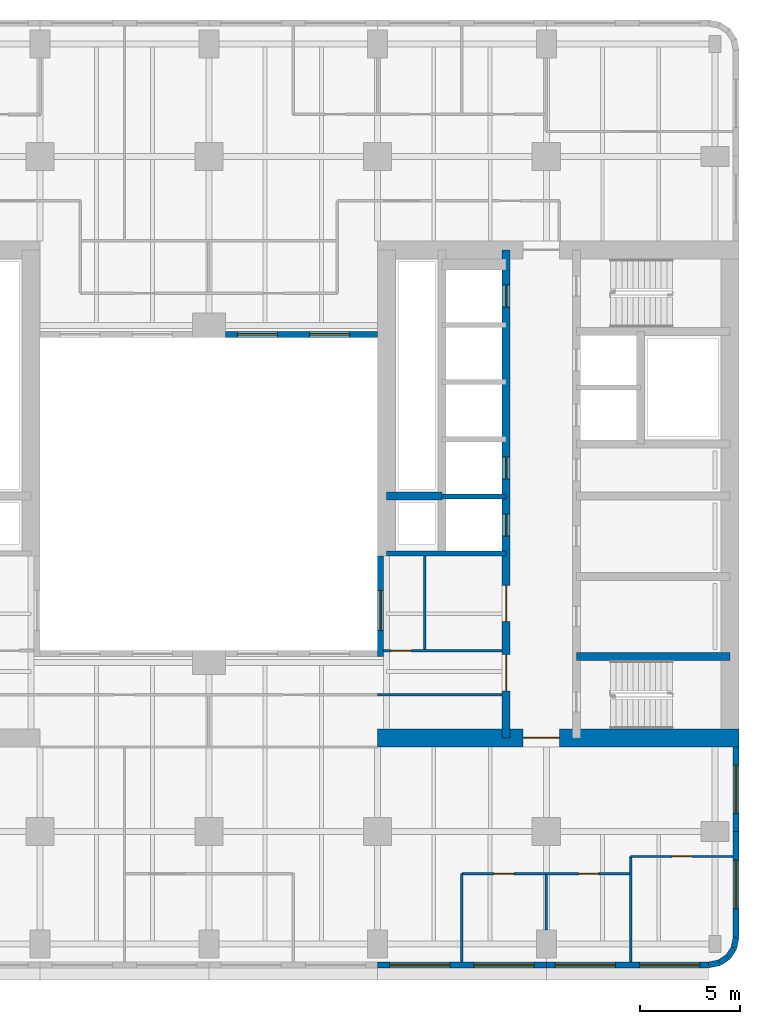
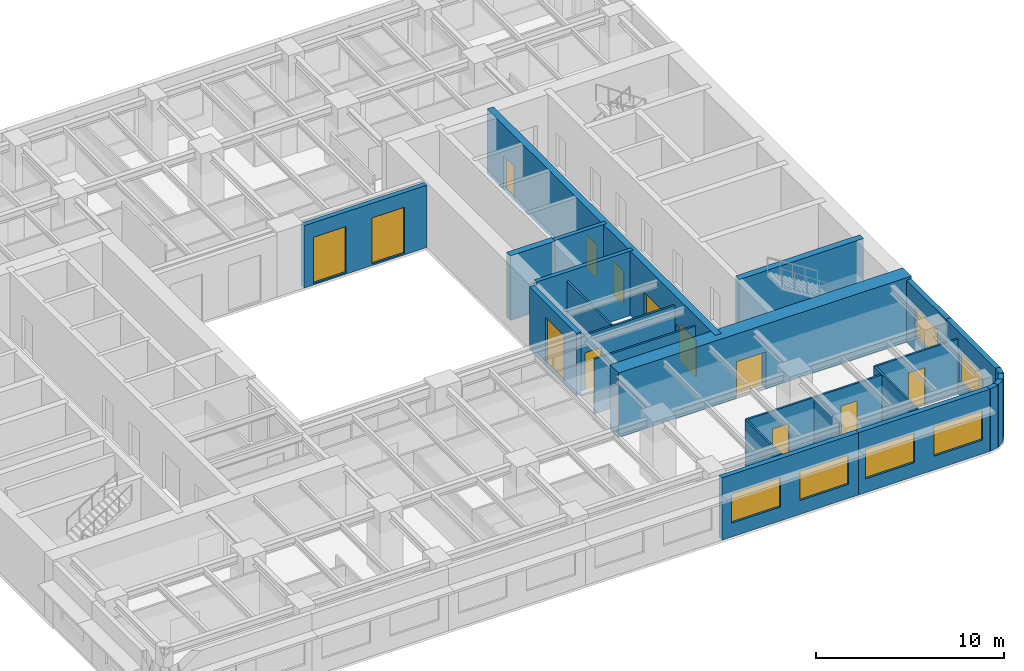
# One storey, part 5 of 11: 24 walls, 10 doors, 9 windows, 19 openings.
"""IFC4 building model written with IfcOpenShell, lengths in metres."""

from ifc_helpers import new_model, si_unit, direction, frame, frame_2d, origin, place, context, subcontext, project, spatial, rectangle, extrude, material, layer, layer_set, type_object, element, fill, save


model = new_model("IFC4")

# Units and contexts
model_context = context("Model", 3, precision=1e-05, world=origin(), true_north=direction((0.0, 1.0)))
body_context = subcontext(model_context, "Body", "Model", "MODEL_VIEW")
ifc_project = project(units=[si_unit("LENGTHUNIT", "METRE"), si_unit("AREAUNIT", "SQUARE_METRE"), si_unit("VOLUMEUNIT", "CUBIC_METRE"), si_unit("PLANEANGLEUNIT", "RADIAN"), si_unit("MASSUNIT", "GRAM", prefix="KILO")], contexts=[model_context])

# Site, building, storey
site_placement = place(None, origin())
site = spatial("IfcSite", under=ifc_project, at=site_placement, CompositionType="ELEMENT")
building_placement = place(site_placement, origin())
building = spatial("IfcBuilding", under=site, at=building_placement, Name="Claustro Exchange Tower", CompositionType="ELEMENT")
storey_placement = place(building_placement, frame((0.0, 0.0, 155.39990234375)))
storey = spatial("IfcBuildingStorey", under=building, at=storey_placement, Name="L35", CompositionType="ELEMENT", Elevation=155.39990234375)

# Wall, opening, door
ifc_material_1 = material(Name="Laminated glass in aluminium frame", Category="aluminium")
ifc_layer_1 = layer(ifc_material_1, 0.1201171875)
ifc_layer_set_1 = layer_set([ifc_layer_1], Name="Laminated glass in aluminium frame")
wall_type_1 = type_object("IfcWallType", Name="P2 120 glazed partition", PredefinedType="PARTITIONING", material=ifc_layer_set_1)
wall_1_placement = place(storey_placement, frame((33.89794921875, 17.39990234375, 0.0), z_axis=(0.0, 0.0, 1.0), x_axis=(1.0, 0.0, 0.0)))
wall_1 = element("IfcWall", 1, at=wall_1_placement, inside=storey, type_object=wall_type_1, Name="Partition P2 L35", PredefinedType="PARTITIONING", context=body_context, shape_type="SweptSolid", body=[
    extrude(rectangle(XDim=5.904052734375, YDim=0.1201171875, at=frame_2d((2.9521484375, 0.0))), origin(), (0.0, 0.0, 1.0), 3.550048828125),
])
opening_1_placement = place(wall_1_placement, frame((0.3798828125, 0.0, 0.0)))
opening_1 = element("IfcOpeningElement", 2, at=opening_1_placement, cuts=wall_1, Name="Opening D7", PredefinedType="OPENING", context=body_context, shape_type="SweptSolid", body=[
    extrude(rectangle(XDim=1.0, YDim=2.39990234375, at=frame_2d((0.5, 1.199951171875))), frame((0.0, 0.070068359375, 0.0), z_axis=(0.0, -1.0, 0.0), x_axis=(1.0, 0.0, 0.0)), (0.0, 0.0, 1.0), 0.14013671875),
])
ifc_material_2 = material(Name="Glass door in aluminium frame", Category="aluminium")
door_type_1 = type_object("IfcDoorType", Name="D7 1000 x 2400 glazed door", OperationType="SINGLE_SWING_LEFT", PredefinedType="DOOR", material=ifc_material_2)
door_1_placement = place(opening_1_placement, origin())
door_1 = element("IfcDoor", 3, at=door_1_placement, inside=storey, type_object=door_type_1, Name="Door D7 L35", OperationType="SINGLE_SWING_RIGHT", OverallHeight=2.39990234375, OverallWidth=1.0, PredefinedType="DOOR", context=body_context, shape_type="SweptSolid", body=[
    extrude(rectangle(XDim=1.0, YDim=2.39990234375, at=frame_2d((0.5, 1.199951171875))), frame((0.0, 0.02490234375, 0.0), z_axis=(0.0, -1.0, 0.0), x_axis=(1.0, 0.0, 0.0)), (0.0, 0.0, 1.0), 0.050048828125),
])
fill(opening_1, door_1)

# Wall
wall_2_placement = place(storey_placement, frame((35.9560546875, 17.4580078125, 0.0), z_axis=(0.0, 0.0, 1.0), x_axis=(0.0, 1.0, 0.0)))
element("IfcWall", 4, at=wall_2_placement, inside=storey, type_object=wall_type_1, Name="Partition P2 L35", PredefinedType="PARTITIONING", context=body_context, shape_type="SweptSolid", body=[
    extrude(rectangle(XDim=4.64404296875, YDim=0.1201171875, at=frame_2d((2.322021484375, 0.0))), origin(), (0.0, 0.0, 1.0), 3.60009765625),
])

# Wall, opening, door
wall_3_placement = place(storey_placement, frame((46.199951171875, 7.14990234375, 0.0), z_axis=(0.0, 0.0, 1.0), x_axis=(1.0, 0.0, 0.0)))
wall_3 = element("IfcWall", 5, at=wall_3_placement, inside=storey, type_object=wall_type_1, Name="Partition P2 L35", PredefinedType="PARTITIONING", context=body_context, shape_type="SweptSolid", body=[
    extrude(rectangle(XDim=5.10205078125, YDim=0.1201171875, at=frame_2d((2.551025390625, 0.0))), origin(), (0.0, 0.0, 1.0), 3.56005859375),
])
opening_2_placement = place(wall_3_placement, frame((2.050048828125, 0.0, 0.0)))
opening_2 = element("IfcOpeningElement", 6, at=opening_2_placement, cuts=wall_3, Name="Opening D7", PredefinedType="OPENING", context=body_context, shape_type="SweptSolid", body=[
    extrude(rectangle(XDim=1.0, YDim=2.39990234375, at=frame_2d((0.5, 1.199951171875))), frame((0.0, 0.070068359375, 0.0), z_axis=(0.0, -1.0, 0.0), x_axis=(1.0, 0.0, 0.0)), (0.0, 0.0, 1.0), 0.14013671875),
])
door_2_placement = place(opening_2_placement, frame((1.0, 0.0, 0.0), z_axis=(0.0, 0.0, 1.0), x_axis=(-1.0, 0.0, 0.0)))
door_2 = element("IfcDoor", 7, at=door_2_placement, inside=storey, type_object=door_type_1, Name="Door D7 L35", OperationType="SINGLE_SWING_RIGHT", OverallHeight=2.39990234375, OverallWidth=1.0, PredefinedType="DOOR", context=body_context, shape_type="SweptSolid", body=[
    extrude(rectangle(XDim=1.0, YDim=2.39990234375, at=frame_2d((0.5, 1.199951171875))), frame((0.0, 0.02490234375, 0.0), z_axis=(0.0, -1.0, 0.0), x_axis=(1.0, 0.0, 0.0)), (0.0, 0.0, 1.0), 0.050048828125),
])
fill(opening_2, door_2)

# Wall, openings, doors
wall_4_placement = place(storey_placement, frame((37.800048828125, 6.300048828125, 0.0), z_axis=(0.0, 0.0, 1.0), x_axis=(1.0, 0.0, 0.0)))
wall_4 = element("IfcWall", 8, at=wall_4_placement, inside=storey, type_object=wall_type_1, Name="Partition P2 L35", PredefinedType="PARTITIONING", context=body_context, shape_type="SweptSolid", body=[
    extrude(rectangle(XDim=8.342041015625, YDim=0.1201171875, at=frame_2d((4.1708984375, 0.0))), origin(), (0.0, 0.0, 1.0), 3.550048828125),
])
opening_3_placement = place(wall_4_placement, frame((1.60009765625, 0.0, 0.0)))
opening_3 = element("IfcOpeningElement", 9, at=opening_3_placement, cuts=wall_4, Name="Opening D7", PredefinedType="OPENING", context=body_context, shape_type="SweptSolid", body=[
    extrude(rectangle(XDim=1.0, YDim=2.39990234375, at=frame_2d((0.5, 1.199951171875))), frame((0.0, 0.070068359375, 0.0), z_axis=(0.0, -1.0, 0.0), x_axis=(1.0, 0.0, 0.0)), (0.0, 0.0, 1.0), 0.14013671875),
])
opening_4_placement = place(wall_4_placement, frame((5.800048828125, 0.0, 0.0)))
opening_4 = element("IfcOpeningElement", 10, at=opening_4_placement, cuts=wall_4, Name="Opening D7", PredefinedType="OPENING", context=body_context, shape_type="SweptSolid", body=[
    extrude(rectangle(XDim=1.0, YDim=2.39990234375, at=frame_2d((0.5, 1.199951171875))), frame((0.0, 0.070068359375, 0.0), z_axis=(0.0, -1.0, 0.0), x_axis=(1.0, 0.0, 0.0)), (0.0, 0.0, 1.0), 0.14013671875),
])
door_3_placement = place(opening_3_placement, frame((1.0, 0.0, 0.0), z_axis=(0.0, 0.0, 1.0), x_axis=(-1.0, 0.0, 0.0)))
door_3 = element("IfcDoor", 11, at=door_3_placement, inside=storey, type_object=door_type_1, Name="Door D7 L35", OperationType="SINGLE_SWING_RIGHT", OverallHeight=2.39990234375, OverallWidth=1.0, PredefinedType="DOOR", context=body_context, shape_type="SweptSolid", body=[
    extrude(rectangle(XDim=1.0, YDim=2.39990234375, at=frame_2d((0.5, 1.199951171875))), frame((0.0, 0.02490234375, 0.0), z_axis=(0.0, -1.0, 0.0), x_axis=(1.0, 0.0, 0.0)), (0.0, 0.0, 1.0), 0.050048828125),
])
fill(opening_3, door_3)
door_4_placement = place(opening_4_placement, frame((1.0, 0.0, 0.0), z_axis=(0.0, 0.0, 1.0), x_axis=(-1.0, 0.0, 0.0)))
door_4 = element("IfcDoor", 12, at=door_4_placement, inside=storey, type_object=door_type_1, Name="Door D7 L35", OperationType="SINGLE_SWING_RIGHT", OverallHeight=2.39990234375, OverallWidth=1.0, PredefinedType="DOOR", context=body_context, shape_type="SweptSolid", body=[
    extrude(rectangle(XDim=1.0, YDim=2.39990234375, at=frame_2d((0.5, 1.199951171875))), frame((0.0, 0.02490234375, 0.0), z_axis=(0.0, -1.0, 0.0), x_axis=(1.0, 0.0, 0.0)), (0.0, 0.0, 1.0), 0.050048828125),
])
fill(opening_4, door_4)

# Walls
wall_5_placement = place(storey_placement, frame((37.800048828125, 1.89794921875, 0.0), z_axis=(0.0, 0.0, 1.0), x_axis=(0.0, 1.0, 0.0)))
element("IfcWall", 13, at=wall_5_placement, inside=storey, type_object=wall_type_1, Name="Partition P2 L35", PredefinedType="PARTITIONING", context=body_context, shape_type="SweptSolid", body=[
    extrude(rectangle(XDim=4.402099609375, YDim=0.1201171875, at=frame_2d((2.201171875, 0.0))), origin(), (0.0, 0.0, 1.0), 3.56005859375),
])
wall_6_placement = place(storey_placement, frame((42.0, 3.4990234375, 0.0), z_axis=(0.0, 0.0, 1.0), x_axis=(0.0, 1.0, 0.0)))
element("IfcWall", 14, at=wall_6_placement, inside=storey, type_object=wall_type_1, Name="Partition P2 L35", PredefinedType="PARTITIONING", context=body_context, shape_type="SweptSolid", body=[
    extrude(rectangle(XDim=2.742919921875, YDim=0.1201171875, at=frame_2d((1.37158203125, 0.0))), origin(), (0.0, 0.0, 1.0), 3.550048828125),
])
wall_7_placement = place(storey_placement, frame((46.199951171875, 1.89794921875, 0.0), z_axis=(0.0, 0.0, 1.0), x_axis=(0.0, 1.0, 0.0)))
element("IfcWall", 15, at=wall_7_placement, inside=storey, type_object=wall_type_1, Name="Partition P2 L35", PredefinedType="PARTITIONING", context=body_context, shape_type="SweptSolid", body=[
    extrude(rectangle(XDim=5.251953125, YDim=0.1201171875, at=frame_2d((2.6259765625, 0.0))), origin(), (0.0, 0.0, 1.0), 3.56005859375),
])
wall_8_placement = place(storey_placement, frame((33.597900390625, 15.199951171875, 0.0), z_axis=(0.0, 0.0, 1.0), x_axis=(1.0, 0.0, 0.0)))
element("IfcWall", 16, at=wall_8_placement, inside=storey, type_object=wall_type_1, Name="Partition P2 L35", PredefinedType="PARTITIONING", context=body_context, shape_type="SweptSolid", body=[
    extrude(rectangle(XDim=6.2041015625, YDim=0.1201171875, at=frame_2d((3.10205078125, 0.0))), origin(), (0.0, 0.0, 1.0), 3.550048828125),
])

# Wall, openings, windows
ifc_material_3 = material(Name="Concrete HA-40 (C40/50), precast, white cement, acid-etched", Category="concrete")
ifc_layer_2 = layer(ifc_material_3, 0.300048828125)
ifc_layer_set_2 = layer_set([ifc_layer_2], Name="Concrete HA-40 (C40/50), precast, white cement, acid-etched")
wall_type_2 = type_object("IfcWallType", Name="PC1 300 precast concrete pier panel", PredefinedType="SOLIDWALL", material=ifc_layer_set_2)
wall_9_placement = place(storey_placement, frame((50.085205078125, 1.75, 0.0), z_axis=(0.0, 0.0, 1.0), x_axis=(-1.0, 0.0, 0.0)))
wall_9 = element("IfcWall", 17, at=wall_9_placement, inside=storey, type_object=wall_type_2, Name="Precast pier panel PC1 L35", PredefinedType="SOLIDWALL", context=body_context, shape_type="SweptSolid", body=[
    extrude(rectangle(XDim=8.085205078125, YDim=0.300048828125, at=frame_2d((4.04248046875, 0.0))), origin(), (0.0, 0.0, 1.0), 4.050048828125),
])
opening_5_placement = place(wall_9_placement, frame((0.442626953125, 0.0, 0.89990234375)))
opening_5 = element("IfcOpeningElement", 18, at=opening_5_placement, cuts=wall_9, Name="Opening W1", PredefinedType="OPENING", context=body_context, shape_type="SweptSolid", body=[
    extrude(rectangle(XDim=3.0, YDim=1.89990234375, at=frame_2d((1.5, 0.949951171875))), frame((0.0, 0.159912109375, 0.0), z_axis=(0.0, -1.0, 0.0), x_axis=(1.0, 0.0, 0.0)), (0.0, 0.0, 1.0), 0.320068359375),
])
opening_6_placement = place(wall_9_placement, frame((4.642578125, 0.0, 0.89990234375)))
opening_6 = element("IfcOpeningElement", 19, at=opening_6_placement, cuts=wall_9, Name="Opening W1", PredefinedType="OPENING", context=body_context, shape_type="SweptSolid", body=[
    extrude(rectangle(XDim=3.0, YDim=1.89990234375, at=frame_2d((1.5, 0.949951171875))), frame((0.0, 0.159912109375, 0.0), z_axis=(0.0, -1.0, 0.0), x_axis=(1.0, 0.0, 0.0)), (0.0, 0.0, 1.0), 0.320068359375),
])
ifc_material_4 = material(Name="Aluminium frame, clear double glazing", Category="aluminium")
window_type_1 = type_object("IfcWindowType", Name="W1 3000 x 1900 window", PartitioningType="SINGLE_PANEL", PredefinedType="WINDOW", material=ifc_material_4)
window_1_placement = place(opening_5_placement, origin())
window_1 = element("IfcWindow", 20, at=window_1_placement, inside=storey, type_object=window_type_1, Name="Window W1 L35", OverallHeight=1.89990234375, OverallWidth=3.0, PartitioningType="SINGLE_PANEL", PredefinedType="WINDOW", context=body_context, shape_type="SweptSolid", body=[
    extrude(rectangle(XDim=3.0, YDim=1.89990234375, at=frame_2d((1.5, 0.949951171875))), frame((0.0, 0.030029296875, 0.0), z_axis=(0.0, -1.0, 0.0), x_axis=(1.0, 0.0, 0.0)), (0.0, 0.0, 1.0), 0.06005859375),
])
fill(opening_5, window_1)
window_2_placement = place(opening_6_placement, origin())
window_2 = element("IfcWindow", 21, at=window_2_placement, inside=storey, type_object=window_type_1, Name="Window W1 L35", OverallHeight=1.89990234375, OverallWidth=3.0, PartitioningType="SINGLE_PANEL", PredefinedType="WINDOW", context=body_context, shape_type="SweptSolid", body=[
    extrude(rectangle(XDim=3.0, YDim=1.89990234375, at=frame_2d((1.5, 0.949951171875))), frame((0.0, 0.030029296875, 0.0), z_axis=(0.0, -1.0, 0.0), x_axis=(1.0, 0.0, 0.0)), (0.0, 0.0, 1.0), 0.06005859375),
])
fill(opening_6, window_2)

wall_10_placement = place(storey_placement, frame((42.0, 1.75, 0.0), z_axis=(0.0, 0.0, 1.0), x_axis=(-1.0, 0.0, 0.0)))
wall_10 = element("IfcWall", 22, at=wall_10_placement, inside=storey, type_object=wall_type_2, Name="Precast pier panel PC1 L35", PredefinedType="SOLIDWALL", context=body_context, shape_type="SweptSolid", body=[
    extrude(rectangle(XDim=8.39990234375, YDim=0.300048828125, at=frame_2d((4.199951171875, 0.0))), origin(), (0.0, 0.0, 1.0), 4.050048828125),
])
opening_7_placement = place(wall_10_placement, frame((0.60009765625, 0.0, 0.89990234375)))
opening_7 = element("IfcOpeningElement", 23, at=opening_7_placement, cuts=wall_10, Name="Opening W1", PredefinedType="OPENING", context=body_context, shape_type="SweptSolid", body=[
    extrude(rectangle(XDim=3.0, YDim=1.89990234375, at=frame_2d((1.5, 0.949951171875))), frame((0.0, 0.159912109375, 0.0), z_axis=(0.0, -1.0, 0.0), x_axis=(1.0, 0.0, 0.0)), (0.0, 0.0, 1.0), 0.320068359375),
])
opening_8_placement = place(wall_10_placement, frame((4.800048828125, 0.0, 0.89990234375)))
opening_8 = element("IfcOpeningElement", 24, at=opening_8_placement, cuts=wall_10, Name="Opening W1", PredefinedType="OPENING", context=body_context, shape_type="SweptSolid", body=[
    extrude(rectangle(XDim=3.0, YDim=1.89990234375, at=frame_2d((1.5, 0.949951171875))), frame((0.0, 0.159912109375, 0.0), z_axis=(0.0, -1.0, 0.0), x_axis=(1.0, 0.0, 0.0)), (0.0, 0.0, 1.0), 0.320068359375),
])
window_3_placement = place(opening_7_placement, origin())
window_3 = element("IfcWindow", 25, at=window_3_placement, inside=storey, type_object=window_type_1, Name="Window W1 L35", OverallHeight=1.89990234375, OverallWidth=3.0, PartitioningType="SINGLE_PANEL", PredefinedType="WINDOW", context=body_context, shape_type="SweptSolid", body=[
    extrude(rectangle(XDim=3.0, YDim=1.89990234375, at=frame_2d((1.5, 0.949951171875))), frame((0.0, 0.030029296875, 0.0), z_axis=(0.0, -1.0, 0.0), x_axis=(1.0, 0.0, 0.0)), (0.0, 0.0, 1.0), 0.06005859375),
])
fill(opening_7, window_3)
window_4_placement = place(opening_8_placement, origin())
window_4 = element("IfcWindow", 26, at=window_4_placement, inside=storey, type_object=window_type_1, Name="Window W1 L35", OverallHeight=1.89990234375, OverallWidth=3.0, PartitioningType="SINGLE_PANEL", PredefinedType="WINDOW", context=body_context, shape_type="SweptSolid", body=[
    extrude(rectangle(XDim=3.0, YDim=1.89990234375, at=frame_2d((1.5, 0.949951171875))), frame((0.0, 0.030029296875, 0.0), z_axis=(0.0, -1.0, 0.0), x_axis=(1.0, 0.0, 0.0)), (0.0, 0.0, 1.0), 0.06005859375),
])
fill(opening_8, window_4)

# Wall, opening, window
wall_11_placement = place(storey_placement, frame((51.449951171875, 12.60009765625, 0.0), z_axis=(0.0, 0.0, 1.0), x_axis=(0.0, -1.0, 0.0)))
wall_11 = element("IfcWall", 27, at=wall_11_placement, inside=storey, type_object=wall_type_2, Name="Precast pier panel PC1 L35", PredefinedType="SOLIDWALL", context=body_context, shape_type="SweptSolid", body=[
    extrude(rectangle(XDim=4.2001953125, YDim=0.300048828125, at=frame_2d((2.10009765625, 0.0))), origin(), (0.0, 0.0, 1.0), 4.050048828125),
])
opening_9_placement = place(wall_11_placement, frame((0.89990234375, 0.0, 0.89990234375)))
opening_9 = element("IfcOpeningElement", 28, at=opening_9_placement, cuts=wall_11, Name="Opening W2", PredefinedType="OPENING", context=body_context, shape_type="SweptSolid", body=[
    extrude(rectangle(XDim=2.39990234375, YDim=1.89990234375, at=frame_2d((1.199951171875, 0.949951171875))), frame((0.0, 0.159912109375, 0.0), z_axis=(0.0, -1.0, 0.0), x_axis=(1.0, 0.0, 0.0)), (0.0, 0.0, 1.0), 0.320068359375),
])
ifc_material_5 = material(Name="Aluminium frame, clear double glazing", Category="aluminium")
window_type_2 = type_object("IfcWindowType", Name="W2 2400 x 1900 window", PartitioningType="SINGLE_PANEL", PredefinedType="WINDOW", material=ifc_material_5)
window_5_placement = place(opening_9_placement, origin())
window_5 = element("IfcWindow", 29, at=window_5_placement, inside=storey, type_object=window_type_2, Name="Window W2 L35", OverallHeight=1.89990234375, OverallWidth=2.39990234375, PartitioningType="SINGLE_PANEL", PredefinedType="WINDOW", context=body_context, shape_type="SweptSolid", body=[
    extrude(rectangle(XDim=2.39990234375, YDim=1.89990234375, at=frame_2d((1.199951171875, 0.949951171875))), frame((0.0, 0.030029296875, 0.0), z_axis=(0.0, -1.0, 0.0), x_axis=(1.0, 0.0, 0.0)), (0.0, 0.0, 1.0), 0.06005859375),
])
fill(opening_9, window_5)

wall_12_placement = place(storey_placement, frame((51.449951171875, 8.39990234375, 0.0), z_axis=(0.0, 0.0, 1.0), x_axis=(0.0, -1.0, 0.0)))
wall_12 = element("IfcWall", 30, at=wall_12_placement, inside=storey, type_object=wall_type_2, Name="Precast pier panel PC1 L35", PredefinedType="SOLIDWALL", context=body_context, shape_type="SweptSolid", body=[
    extrude(rectangle(XDim=5.28515625, YDim=0.300048828125, at=frame_2d((2.642578125, 0.0))), origin(), (0.0, 0.0, 1.0), 4.050048828125),
])
opening_10_placement = place(wall_12_placement, frame((1.442626953125, 0.0, 0.89990234375)))
opening_10 = element("IfcOpeningElement", 31, at=opening_10_placement, cuts=wall_12, Name="Opening W2", PredefinedType="OPENING", context=body_context, shape_type="SweptSolid", body=[
    extrude(rectangle(XDim=2.39990234375, YDim=1.89990234375, at=frame_2d((1.199951171875, 0.949951171875))), frame((0.0, 0.159912109375, 0.0), z_axis=(0.0, -1.0, 0.0), x_axis=(1.0, 0.0, 0.0)), (0.0, 0.0, 1.0), 0.320068359375),
])
window_6_placement = place(opening_10_placement, origin())
window_6 = element("IfcWindow", 32, at=window_6_placement, inside=storey, type_object=window_type_2, Name="Window W2 L35", OverallHeight=1.89990234375, OverallWidth=2.39990234375, PartitioningType="SINGLE_PANEL", PredefinedType="WINDOW", context=body_context, shape_type="SweptSolid", body=[
    extrude(rectangle(XDim=2.39990234375, YDim=1.89990234375, at=frame_2d((1.199951171875, 0.949951171875))), frame((0.0, 0.030029296875, 0.0), z_axis=(0.0, -1.0, 0.0), x_axis=(1.0, 0.0, 0.0)), (0.0, 0.0, 1.0), 0.06005859375),
])
fill(opening_10, window_6)

# Walls
wall_13_placement = place(storey_placement, frame((51.449951171875, 3.11474609375, 0.0), z_axis=(0.0, 0.0, 1.0), x_axis=(-0.195073962632, -0.980788534345, 0.0)))
element("IfcWall", 33, at=wall_13_placement, inside=storey, type_object=wall_type_2, Name="Precast pier panel PC1 L35", PredefinedType="SOLIDWALL", context=body_context, shape_type="SweptSolid", body=[
    extrude(rectangle(XDim=0.540771484375, YDim=0.300048828125, at=frame_2d((0.2705078125, 0.0))), origin(), (0.0, 0.0, 1.0), 4.050048828125),
])
for number, where, z_axis, x_axis, name in (
    (34, (51.344482421875, 2.58447265625, 0.0), (0.0, 0.0, 1.0), (-0.555557463938, -0.831478144188, 0.0), "Precast pier panel PC1 L35"),
    (35, (51.052490234375, 2.1474609375, 0.0), (0.0, 0.0, 1.0), (-0.831478144188, -0.555557463938, 0.0), "Precast pier panel PC1 L35"),
):
    element("IfcWall", number, at=place(storey_placement, frame(where, z_axis=z_axis, x_axis=x_axis)), inside=storey, type_object=wall_type_2, Name=name, PredefinedType="SOLIDWALL", context=body_context, shape_type="SweptSolid", body=[
        extrude(rectangle(XDim=0.525634765625, YDim=0.300048828125, at=frame_2d((0.2626953125, 0.0))), origin(), (0.0, 0.0, 1.0), 4.050048828125),
    ])
wall_14_placement = place(storey_placement, frame((50.615478515625, 1.85546875, 0.0), z_axis=(0.0, 0.0, 1.0), x_axis=(-0.980788534345, -0.195073962632, 0.0)))
element("IfcWall", 36, at=wall_14_placement, inside=storey, type_object=wall_type_2, Name="Precast pier panel PC1 L35", PredefinedType="SOLIDWALL", context=body_context, shape_type="SweptSolid", body=[
    extrude(rectangle(XDim=0.540771484375, YDim=0.300048828125, at=frame_2d((0.2705078125, 0.0))), origin(), (0.0, 0.0, 1.0), 4.050048828125),
])

# Wall, opening, window
wall_15_placement = place(storey_placement, frame((33.75, 17.10009765625, 0.0), z_axis=(0.0, 0.0, 1.0), x_axis=(0.0, 1.0, 0.0)))
wall_15 = element("IfcWall", 37, at=wall_15_placement, inside=storey, type_object=wall_type_2, Name="Precast pier panel PC1 L35", PredefinedType="SOLIDWALL", context=body_context, shape_type="SweptSolid", body=[
    extrude(rectangle(XDim=5.0, YDim=0.300048828125, at=frame_2d((2.5, 0.0))), origin(), (0.0, 0.0, 1.0), 4.050048828125),
])
opening_11_placement = place(wall_15_placement, frame((1.300048828125, 0.0, 0.10009765625)))
opening_11 = element("IfcOpeningElement", 38, at=opening_11_placement, cuts=wall_15, Name="Opening W-A", PredefinedType="OPENING", context=body_context, shape_type="SweptSolid", body=[
    extrude(rectangle(XDim=2.0, YDim=3.0, at=frame_2d((1.0, 1.5))), frame((0.0, 0.159912109375, 0.0), z_axis=(0.0, -1.0, 0.0), x_axis=(1.0, 0.0, 0.0)), (0.0, 0.0, 1.0), 0.320068359375),
])
ifc_material_6 = material(Name="Aluminium frame, clear double glazing", Category="aluminium")
window_type_3 = type_object("IfcWindowType", Name="W-A 2000 x 3000 arcade window", PartitioningType="SINGLE_PANEL", PredefinedType="WINDOW", material=ifc_material_6)
window_7_placement = place(opening_11_placement, origin())
window_7 = element("IfcWindow", 39, at=window_7_placement, inside=storey, type_object=window_type_3, Name="Window W-A L35", OverallHeight=3.0, OverallWidth=2.0, PartitioningType="SINGLE_PANEL", PredefinedType="WINDOW", context=body_context, shape_type="SweptSolid", body=[
    extrude(rectangle(XDim=2.0, YDim=3.0, at=frame_2d((1.0, 1.5))), frame((0.0, 0.030029296875, 0.0), z_axis=(0.0, -1.0, 0.0), x_axis=(1.0, 0.0, 0.0)), (0.0, 0.0, 1.0), 0.06005859375),
])
fill(opening_11, window_7)

# Wall, openings, windows
wall_16_placement = place(storey_placement, frame((26.02490234375, 33.14990234375, 0.0), z_axis=(0.0, 0.0, 1.0), x_axis=(1.0, 0.0, 0.0)))
wall_16 = element("IfcWall", 40, at=wall_16_placement, inside=storey, type_object=wall_type_2, Name="Precast pier panel PC1 L35", PredefinedType="SOLIDWALL", context=body_context, shape_type="SweptSolid", body=[
    extrude(rectangle(XDim=7.5751953125, YDim=0.300048828125, at=frame_2d((3.78759765625, 0.0))), origin(), (0.0, 0.0, 1.0), 4.050048828125),
])
opening_12_placement = place(wall_16_placement, frame((0.58740234375, 0.0, 0.10009765625)))
opening_12 = element("IfcOpeningElement", 41, at=opening_12_placement, cuts=wall_16, Name="Opening W-A", PredefinedType="OPENING", context=body_context, shape_type="SweptSolid", body=[
    extrude(rectangle(XDim=2.0, YDim=3.0, at=frame_2d((1.0, 1.5))), frame((0.0, 0.159912109375, 0.0), z_axis=(0.0, -1.0, 0.0), x_axis=(1.0, 0.0, 0.0)), (0.0, 0.0, 1.0), 0.320068359375),
])
opening_13_placement = place(wall_16_placement, frame((4.1875, 0.0, 0.10009765625)))
opening_13 = element("IfcOpeningElement", 42, at=opening_13_placement, cuts=wall_16, Name="Opening W-A", PredefinedType="OPENING", context=body_context, shape_type="SweptSolid", body=[
    extrude(rectangle(XDim=2.0, YDim=3.0, at=frame_2d((1.0, 1.5))), frame((0.0, 0.159912109375, 0.0), z_axis=(0.0, -1.0, 0.0), x_axis=(1.0, 0.0, 0.0)), (0.0, 0.0, 1.0), 0.320068359375),
])
window_8_placement = place(opening_12_placement, origin())
window_8 = element("IfcWindow", 43, at=window_8_placement, inside=storey, type_object=window_type_3, Name="Window W-A L35", OverallHeight=3.0, OverallWidth=2.0, PartitioningType="SINGLE_PANEL", PredefinedType="WINDOW", context=body_context, shape_type="SweptSolid", body=[
    extrude(rectangle(XDim=2.0, YDim=3.0, at=frame_2d((1.0, 1.5))), frame((0.0, 0.030029296875, 0.0), z_axis=(0.0, -1.0, 0.0), x_axis=(1.0, 0.0, 0.0)), (0.0, 0.0, 1.0), 0.06005859375),
])
fill(opening_12, window_8)
window_9_placement = place(opening_13_placement, origin())
window_9 = element("IfcWindow", 44, at=window_9_placement, inside=storey, type_object=window_type_3, Name="Window W-A L35", OverallHeight=3.0, OverallWidth=2.0, PartitioningType="SINGLE_PANEL", PredefinedType="WINDOW", context=body_context, shape_type="SweptSolid", body=[
    extrude(rectangle(XDim=2.0, YDim=3.0, at=frame_2d((1.0, 1.5))), frame((0.0, 0.030029296875, 0.0), z_axis=(0.0, -1.0, 0.0), x_axis=(1.0, 0.0, 0.0)), (0.0, 0.0, 1.0), 0.06005859375),
])
fill(opening_13, window_9)

# Wall, opening, door
ifc_material_7 = material(Name="Concrete HA-70 (C70/85)", Category="concrete")
ifc_layer_3 = layer(ifc_material_7, 0.89990234375)
ifc_layer_set_3 = layer_set([ifc_layer_3], Name="Concrete HA-70 (C70/85)")
wall_type_3 = type_object("IfcWallType", Name="SW1 900 core shear wall", PredefinedType="SHEAR", material=ifc_layer_set_3)
wall_17_placement = place(storey_placement, frame((33.60009765625, 13.050048828125, 0.0), z_axis=(0.0, 0.0, 1.0), x_axis=(1.0, 0.0, 0.0)))
wall_17 = element("IfcWall", 45, at=wall_17_placement, inside=storey, type_object=wall_type_3, Name="Core wall SW1 E core S face L35", PredefinedType="SHEAR", context=body_context, shape_type="SweptSolid", body=[
    extrude(rectangle(XDim=18.0, YDim=0.89990234375, at=frame_2d((9.0, 0.0))), origin(), (0.0, 0.0, 1.0), 4.2001953125),
])
opening_14_placement = place(wall_17_placement, frame((7.25, 0.0, 0.0)))
opening_14 = element("IfcOpeningElement", 46, at=opening_14_placement, cuts=wall_17, Name="Opening D3", PredefinedType="OPENING", context=body_context, shape_type="SweptSolid", body=[
    extrude(rectangle(XDim=1.800048828125, YDim=2.39990234375, at=frame_2d((0.89990234375, 1.199951171875))), frame((0.0, 0.4599609375, 0.0), z_axis=(0.0, -1.0, 0.0), x_axis=(1.0, 0.0, 0.0)), (0.0, 0.0, 1.0), 0.919921875),
])
ifc_material_8 = material(Name="Steel fire door, painted", Category="steel")
door_type_2 = type_object("IfcDoorType", Name="D3 1800 x 2400 fire-rated lobby double door", OperationType="DOUBLE_DOOR_SINGLE_SWING", PredefinedType="DOOR", material=ifc_material_8)
door_5_placement = place(opening_14_placement, frame((1.800048828125, 0.0, 0.0), z_axis=(0.0, 0.0, 1.0), x_axis=(-1.0, 0.0, 0.0)))
door_5 = element("IfcDoor", 47, at=door_5_placement, inside=storey, type_object=door_type_2, Name="Lift lobby door D3 L35", OperationType="DOUBLE_DOOR_SINGLE_SWING", OverallHeight=2.39990234375, OverallWidth=1.800048828125, PredefinedType="DOOR", context=body_context, shape_type="SweptSolid", body=[
    extrude(rectangle(XDim=1.800048828125, YDim=2.39990234375, at=frame_2d((0.89990234375, 1.199951171875))), frame((0.0, 0.02490234375, 0.0), z_axis=(0.0, -1.0, 0.0), x_axis=(1.0, 0.0, 0.0)), (0.0, 0.0, 1.0), 0.050048828125),
])
fill(opening_14, door_5)

# Wall, openings, doors
ifc_material_9 = material(Name="Concrete HA-50 (C50/60)", Category="concrete")
ifc_layer_4 = layer(ifc_material_9, 0.39990234375)
ifc_layer_set_4 = layer_set([ifc_layer_4], Name="Concrete HA-50 (C50/60)")
wall_type_4 = type_object("IfcWallType", Name="SW4 400 internal core wall", PredefinedType="SHEAR", material=ifc_layer_set_4)
wall_18_placement = place(storey_placement, frame((40.0, 13.050048828125, 0.0), z_axis=(0.0, 0.0, 1.0), x_axis=(0.0, 1.0, 0.0)))
wall_18 = element("IfcWall", 48, at=wall_18_placement, inside=storey, type_object=wall_type_4, Name="Internal core wall SW4 E core L35", PredefinedType="SHEAR", context=body_context, shape_type="SweptSolid", body=[
    extrude(rectangle(XDim=24.300048828125, YDim=0.39990234375, at=frame_2d((12.14990234375, 0.0))), origin(), (0.0, 0.0, 1.0), 4.2001953125),
])
opening_15_placement = place(wall_18_placement, frame((10.050048828125, 0.0, 0.0)))
opening_15 = element("IfcOpeningElement", 49, at=opening_15_placement, cuts=wall_18, Name="Opening LD", PredefinedType="OPENING", context=body_context, shape_type="SweptSolid", body=[
    extrude(rectangle(XDim=1.10009765625, YDim=2.199951171875, at=frame_2d((0.550048828125, 1.10009765625))), frame((0.0, 0.2099609375, 0.0), z_axis=(0.0, -1.0, 0.0), x_axis=(1.0, 0.0, 0.0)), (0.0, 0.0, 1.0), 0.419921875),
])
opening_16_placement = place(wall_18_placement, frame((12.89990234375, 0.0, 0.0)))
opening_16 = element("IfcOpeningElement", 50, at=opening_16_placement, cuts=wall_18, Name="Opening LD", PredefinedType="OPENING", context=body_context, shape_type="SweptSolid", body=[
    extrude(rectangle(XDim=1.10009765625, YDim=2.199951171875, at=frame_2d((0.550048828125, 1.10009765625))), frame((0.0, 0.2099609375, 0.0), z_axis=(0.0, -1.0, 0.0), x_axis=(1.0, 0.0, 0.0)), (0.0, 0.0, 1.0), 0.419921875),
])
opening_17_placement = place(wall_18_placement, frame((21.449951171875, 0.0, 0.0)))
opening_17 = element("IfcOpeningElement", 51, at=opening_17_placement, cuts=wall_18, Name="Opening LD", PredefinedType="OPENING", context=body_context, shape_type="SweptSolid", body=[
    extrude(rectangle(XDim=1.10009765625, YDim=2.199951171875, at=frame_2d((0.550048828125, 1.10009765625))), frame((0.0, 0.2099609375, 0.0), z_axis=(0.0, -1.0, 0.0), x_axis=(1.0, 0.0, 0.0)), (0.0, 0.0, 1.0), 0.419921875),
])
opening_18_placement = place(wall_18_placement, frame((2.35009765625, 0.0, 0.0)))
opening_18 = element("IfcOpeningElement", 52, at=opening_18_placement, cuts=wall_18, Name="Opening D3", PredefinedType="OPENING", context=body_context, shape_type="SweptSolid", body=[
    extrude(rectangle(XDim=1.800048828125, YDim=2.39990234375, at=frame_2d((0.89990234375, 1.199951171875))), frame((0.0, 0.2099609375, 0.0), z_axis=(0.0, -1.0, 0.0), x_axis=(1.0, 0.0, 0.0)), (0.0, 0.0, 1.0), 0.419921875),
])
opening_19_placement = place(wall_18_placement, frame((5.800048828125, 0.0, 0.0)))
opening_19 = element("IfcOpeningElement", 53, at=opening_19_placement, cuts=wall_18, Name="Opening D3", PredefinedType="OPENING", context=body_context, shape_type="SweptSolid", body=[
    extrude(rectangle(XDim=1.800048828125, YDim=2.39990234375, at=frame_2d((0.89990234375, 1.199951171875))), frame((0.0, 0.2099609375, 0.0), z_axis=(0.0, -1.0, 0.0), x_axis=(1.0, 0.0, 0.0)), (0.0, 0.0, 1.0), 0.419921875),
])
door_6_placement = place(opening_18_placement, frame((1.800048828125, 0.0, 0.0), z_axis=(0.0, 0.0, 1.0), x_axis=(-1.0, 0.0, 0.0)))
door_6 = element("IfcDoor", 54, at=door_6_placement, inside=storey, type_object=door_type_2, Name="Core zone door D3 L35", OperationType="DOUBLE_DOOR_SINGLE_SWING", OverallHeight=2.39990234375, OverallWidth=1.800048828125, PredefinedType="DOOR", context=body_context, shape_type="SweptSolid", body=[
    extrude(rectangle(XDim=1.800048828125, YDim=2.39990234375, at=frame_2d((0.89990234375, 1.199951171875))), frame((0.0, 0.02490234375, 0.0), z_axis=(0.0, -1.0, 0.0), x_axis=(1.0, 0.0, 0.0)), (0.0, 0.0, 1.0), 0.050048828125),
])
fill(opening_18, door_6)
door_7_placement = place(opening_19_placement, origin())
door_7 = element("IfcDoor", 55, at=door_7_placement, inside=storey, type_object=door_type_2, Name="Core zone door D3 L35", OperationType="DOUBLE_DOOR_SINGLE_SWING", OverallHeight=2.39990234375, OverallWidth=1.800048828125, PredefinedType="DOOR", context=body_context, shape_type="SweptSolid", body=[
    extrude(rectangle(XDim=1.800048828125, YDim=2.39990234375, at=frame_2d((0.89990234375, 1.199951171875))), frame((0.0, 0.02490234375, 0.0), z_axis=(0.0, -1.0, 0.0), x_axis=(1.0, 0.0, 0.0)), (0.0, 0.0, 1.0), 0.050048828125),
])
fill(opening_19, door_7)
ifc_material_10 = material(Name="Stainless steel sliding door", Category="steel")
door_type_3 = type_object("IfcDoorType", Name="LD 1100 x 2200 lift landing door", OperationType="DOUBLE_DOOR_SLIDING", PredefinedType="DOOR", material=ifc_material_10)
door_8_placement = place(opening_15_placement, origin())
door_8 = element("IfcDoor", 56, at=door_8_placement, inside=storey, type_object=door_type_3, Name="Lift landing door LME1 LD L35", OperationType="DOUBLE_DOOR_SLIDING", OverallHeight=2.199951171875, OverallWidth=1.10009765625, PredefinedType="DOOR", context=body_context, shape_type="SweptSolid", body=[
    extrude(rectangle(XDim=1.10009765625, YDim=2.199951171875, at=frame_2d((0.550048828125, 1.10009765625))), frame((0.0, 0.02490234375, 0.0), z_axis=(0.0, -1.0, 0.0), x_axis=(1.0, 0.0, 0.0)), (0.0, 0.0, 1.0), 0.050048828125),
])
fill(opening_15, door_8)
door_9_placement = place(opening_16_placement, origin())
door_9 = element("IfcDoor", 57, at=door_9_placement, inside=storey, type_object=door_type_3, Name="Lift landing door LME2 LD L35", OperationType="DOUBLE_DOOR_SLIDING", OverallHeight=2.199951171875, OverallWidth=1.10009765625, PredefinedType="DOOR", context=body_context, shape_type="SweptSolid", body=[
    extrude(rectangle(XDim=1.10009765625, YDim=2.199951171875, at=frame_2d((0.550048828125, 1.10009765625))), frame((0.0, 0.02490234375, 0.0), z_axis=(0.0, -1.0, 0.0), x_axis=(1.0, 0.0, 0.0)), (0.0, 0.0, 1.0), 0.050048828125),
])
fill(opening_16, door_9)
door_10_placement = place(opening_17_placement, origin())
door_10 = element("IfcDoor", 58, at=door_10_placement, inside=storey, type_object=door_type_3, Name="Lift landing door LSE1 LD L35", OperationType="DOUBLE_DOOR_SLIDING", OverallHeight=2.199951171875, OverallWidth=1.10009765625, PredefinedType="DOOR", context=body_context, shape_type="SweptSolid", body=[
    extrude(rectangle(XDim=1.10009765625, YDim=2.199951171875, at=frame_2d((0.550048828125, 1.10009765625))), frame((0.0, 0.02490234375, 0.0), z_axis=(0.0, -1.0, 0.0), x_axis=(1.0, 0.0, 0.0)), (0.0, 0.0, 1.0), 0.050048828125),
])
fill(opening_17, door_10)

# Walls
wall_19_placement = place(storey_placement, frame((51.14990234375, 17.10009765625, 0.0), z_axis=(0.0, 0.0, 1.0), x_axis=(-1.0, 0.0, 0.0)))
element("IfcWall", 59, at=wall_19_placement, inside=storey, type_object=wall_type_4, Name="Internal core wall SW4 E core L35", PredefinedType="SHEAR", context=body_context, shape_type="SweptSolid", body=[
    extrude(rectangle(XDim=7.64990234375, YDim=0.39990234375, at=frame_2d((3.824951171875, 0.0))), origin(), (0.0, 0.0, 1.0), 4.2001953125),
])
wall_20_placement = place(storey_placement, frame((36.800048828125, 25.10009765625, 0.0), z_axis=(0.0, 0.0, 1.0), x_axis=(-1.0, 0.0, 0.0)))
element("IfcWall", 60, at=wall_20_placement, inside=storey, type_object=wall_type_4, Name="Internal core wall SW4 E core L35", PredefinedType="SHEAR", context=body_context, shape_type="SweptSolid", body=[
    extrude(rectangle(XDim=2.75, YDim=0.39990234375, at=frame_2d((1.375, 0.0))), origin(), (0.0, 0.0, 1.0), 4.2001953125),
])
ifc_material_11 = material(Name="Concrete HA-50 (C50/60)", Category="concrete")
ifc_layer_5 = layer(ifc_material_11, 0.25)
ifc_layer_set_5 = layer_set([ifc_layer_5], Name="Concrete HA-50 (C50/60)")
wall_type_5 = type_object("IfcWallType", Name="SW5 250 lift shaft divider wall", PredefinedType="SHEAR", material=ifc_layer_set_5)
wall_21_placement = place(storey_placement, frame((40.0, 22.22509765625, 0.0), z_axis=(0.0, 0.0, 1.0), x_axis=(-1.0, 0.0, 0.0)))
element("IfcWall", 61, at=wall_21_placement, inside=storey, type_object=wall_type_5, Name="Core step wall E core L35", PredefinedType="SHEAR", context=body_context, shape_type="SweptSolid", body=[
    extrude(rectangle(XDim=5.949951171875, YDim=0.25, at=frame_2d((2.97509765625, 0.0))), origin(), (0.0, 0.0, 1.0), 4.2001953125),
])
wall_22_placement = place(storey_placement, frame((40.0, 25.074951171875, 0.0), z_axis=(0.0, 0.0, 1.0), x_axis=(-1.0, 0.0, 0.0)))
element("IfcWall", 62, at=wall_22_placement, inside=storey, type_object=wall_type_5, Name="Lift shaft wall E core L35", PredefinedType="SHEAR", context=body_context, shape_type="SweptSolid", body=[
    extrude(rectangle(XDim=3.199951171875, YDim=0.25, at=frame_2d((1.60009765625, 0.0))), origin(), (0.0, 0.0, 1.0), 4.2001953125),
])

save(model, "model.ifc")
